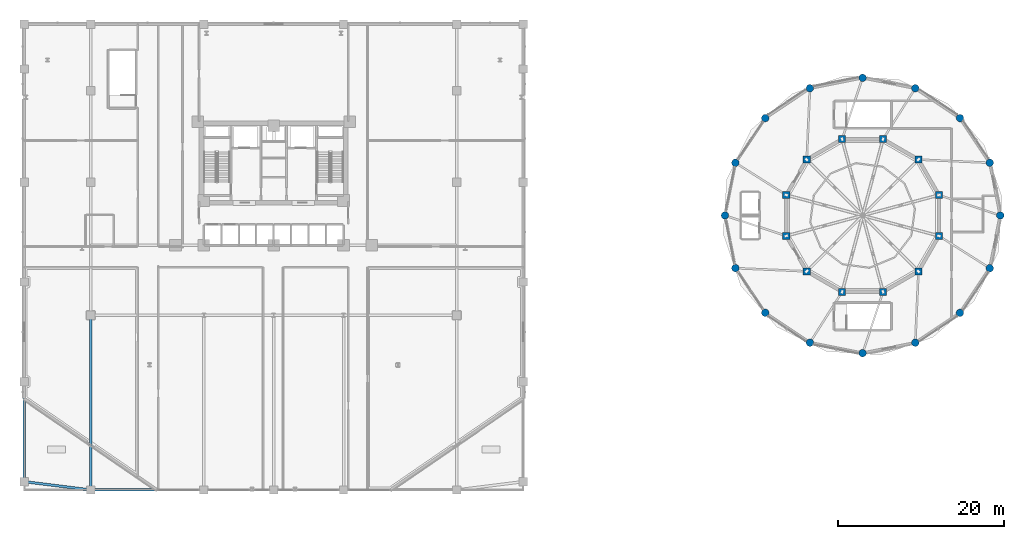
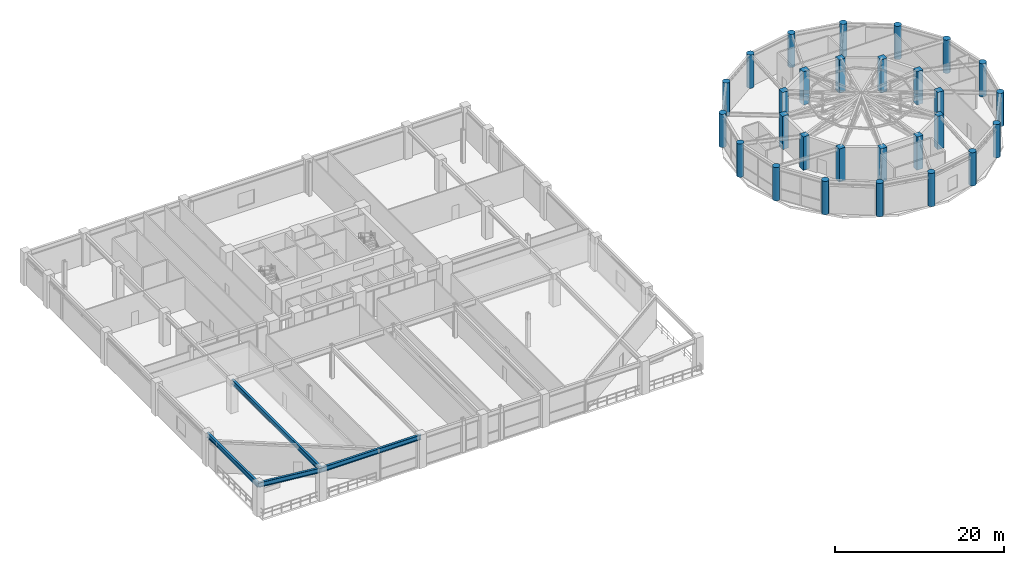
# One storey, part 2 of 26: 28 columns, 4 beams.
"""IFC4 building model written with IfcOpenShell, lengths in metres."""

import ifcopenshell
import ifcopenshell.guid

model = None  # the IFC model being written
_history = None  # IfcOwnerHistory: only IFC2X3 demands one
_inside = {}  # id of a spatial element -> (the spatial element, [elements in it])
_under = {}  # id of a project, library or spatial element -> (it, [spatial elements below it])
_declared = {}  # id of a project -> (the project, [libraries it declares])
_typed = {}  # id of a type object -> (the type object, [elements of that type])
_made_of = {}  # id of a material, layer set ... -> (it, [elements and type objects made of it])


def new_model(schema):
    """Start an empty IFC model of exactly this schema.

    Asked for "IFC4X3", IfcOpenShell would pick the latest addendum, in which some entities
    have other attributes; the version numbers below select the first issue.
    IFC2X3 requires an IfcOwnerHistory on every rooted entity: one is made here for all.
    """
    global model, _history
    if schema == "IFC4X3":
        model = ifcopenshell.file(schema_version=(4, 3, 0, 0))
    else:
        model = ifcopenshell.file(schema=schema)
    _inside.clear()
    _under.clear()
    _declared.clear()
    _typed.clear()
    _made_of.clear()
    _history = None
    if model.schema == "IFC2X3":
        org = make("IfcOrganization", Name="unknown")
        user = make(
            "IfcPersonAndOrganization",
            ThePerson=make("IfcPerson", FamilyName="unknown"),
            TheOrganization=org,
        )
        app = make(
            "IfcApplication",
            ApplicationDeveloper=org,
            Version="unknown",
            ApplicationFullName="unknown",
            ApplicationIdentifier="unknown",
        )
        _history = make(
            "IfcOwnerHistory",
            OwningUser=user,
            OwningApplication=app,
            ChangeAction="ADDED",
            CreationDate=0,
        )
    return model


def make(cls, **values):
    """One entity of the class cls with the attributes given. An attribute that is None is left unset."""
    return model.create_entity(
        cls, **{name: value for name, value in values.items() if value is not None}
    )


def rooted(cls, **values):
    """An entity with a GlobalId (a new one), such as an element, a storey or a relation."""
    return make(cls, GlobalId=ifcopenshell.guid.new(), OwnerHistory=_history, **values)


def si_unit(unit_type, name, prefix=None):
    """IfcSIUnit, for example si_unit("LENGTHUNIT", "METRE", prefix="MILLI")."""
    return make("IfcSIUnit", UnitType=unit_type, Prefix=prefix, Name=name)


def derived_unit(unit_type, elements):
    """IfcDerivedUnit: a product of units, each with its exponent."""
    return make(
        "IfcDerivedUnit",
        Elements=[
            make("IfcDerivedUnitElement", Unit=unit, Exponent=power)
            for unit, power in elements
        ],
        UnitType=unit_type,
    )


def assignment(units):
    """IfcUnitAssignment: the units of a project."""
    return None if units is None else make("IfcUnitAssignment", Units=units)


def point(xyz):
    """IfcCartesianPoint."""
    return None if xyz is None else make("IfcCartesianPoint", Coordinates=xyz)


def direction(xyz):
    """IfcDirection."""
    return None if xyz is None else make("IfcDirection", DirectionRatios=xyz)


def frame(location, z_axis=None, x_axis=None):
    """IfcAxis2Placement3D, a coordinate frame: its origin and axes. An axis left out is left unset."""
    return make(
        "IfcAxis2Placement3D",
        Location=point(location),
        Axis=direction(z_axis),
        RefDirection=direction(x_axis),
    )


def frame_2d(location, x_axis=None):
    """IfcAxis2Placement2D, a coordinate frame in the plane: its origin and x axis."""
    return make(
        "IfcAxis2Placement2D", Location=point(location), RefDirection=direction(x_axis)
    )


def origin():
    """The frame at (0, 0, 0) with its axes left unset."""
    return frame((0.0, 0.0, 0.0))


def origin_2d():
    """The frame at (0, 0) in the plane with its x axis left unset."""
    return frame_2d((0.0, 0.0))


def place(relative_to, where):
    """IfcLocalPlacement: puts the frame where relative to a parent placement (None: the world)."""
    return make(
        "IfcLocalPlacement", PlacementRelTo=relative_to, RelativePlacement=where
    )


def context(
    kind, dimensions, precision=None, world=None, true_north=None, identifier=None
):
    """IfcGeometricRepresentationContext, for example the 3D "Model" context."""
    return make(
        "IfcGeometricRepresentationContext",
        ContextIdentifier=identifier,
        ContextType=kind,
        CoordinateSpaceDimension=dimensions,
        Precision=precision,
        WorldCoordinateSystem=world,
        TrueNorth=true_north,
    )


def subcontext(parent, identifier, kind, view, scale=None):
    """IfcGeometricRepresentationSubContext, for example "Body" below "Model"."""
    return make(
        "IfcGeometricRepresentationSubContext",
        ContextIdentifier=identifier,
        ContextType=kind,
        ParentContext=parent,
        TargetScale=scale,
        TargetView=view,
    )


def project(units=None, contexts=None):
    """IfcProject with its units and contexts."""
    return rooted(
        "IfcProject",
        Name="project",
        RepresentationContexts=contexts,
        UnitsInContext=assignment(units),
    )


def spatial(cls, under=None, at=None, **own):
    """A site, building, storey or space (cls), placed at a placement, below another one or the project."""
    s = rooted(cls, ObjectPlacement=at, **own)
    if under is not None:
        _under.setdefault(under.id(), (under, []))[1].append(s)
    return s


def profile(cls, at=None, kind="AREA", **sizes):
    """A parametric profile (cls). Its sizes go by their IFC names, for example OverallWidth=200.0."""
    return make(cls, ProfileType=kind, Position=at, **sizes)


def rectangle(**sizes):
    """IfcRectangleProfileDef."""
    return profile("IfcRectangleProfileDef", **sizes)


def circle(**sizes):
    """IfcCircleProfileDef."""
    return profile("IfcCircleProfileDef", **sizes)


def i_section(**sizes):
    """IfcIShapeProfileDef."""
    return profile("IfcIShapeProfileDef", **sizes)


def extrude(swept, where, along, depth):
    """IfcExtrudedAreaSolid: the profile swept, set in the frame where, extruded along a direction by depth."""
    return make(
        "IfcExtrudedAreaSolid",
        SweptArea=swept,
        Position=where,
        ExtrudedDirection=direction(along),
        Depth=depth,
    )


def shape(context_of_items, identifier, shape_type, items):
    """IfcShapeRepresentation: the items that make up one representation, for example the "Body"."""
    return make(
        "IfcShapeRepresentation",
        ContextOfItems=context_of_items,
        RepresentationIdentifier=identifier,
        RepresentationType=shape_type,
        Items=items,
    )


def source(mapping_origin, context_of_items, identifier, shape_type, items):
    """IfcRepresentationMap: a shape defined once, which mapped items show again and again."""
    return make(
        "IfcRepresentationMap",
        MappingOrigin=mapping_origin,
        MappedRepresentation=shape(context_of_items, identifier, shape_type, items),
    )


def transform(
    local_origin,
    x_axis=None,
    y_axis=None,
    z_axis=None,
    scale=None,
    scale2=None,
    scale3=None,
    uniform=True,
):
    """IfcCartesianTransformationOperator3D, or its non-uniform kind. x_axis, y_axis, z_axis: its Axis1, 2, 3."""
    if uniform:
        return make(
            "IfcCartesianTransformationOperator3D",
            Axis1=direction(x_axis),
            Axis2=direction(y_axis),
            LocalOrigin=point(local_origin),
            Scale=scale,
            Axis3=direction(z_axis),
        )
    return make(
        "IfcCartesianTransformationOperator3DnonUniform",
        Axis1=direction(x_axis),
        Axis2=direction(y_axis),
        LocalOrigin=point(local_origin),
        Scale=scale,
        Axis3=direction(z_axis),
        Scale2=scale2,
        Scale3=scale3,
    )


def mapped(mapping_source, mapping_target):
    """IfcMappedItem: shows the shape of a source again, moved by a transform."""
    return make(
        "IfcMappedItem", MappingSource=mapping_source, MappingTarget=mapping_target
    )


def material(Name=None, Category=None):
    """IfcMaterial."""
    return make("IfcMaterial", Name=Name, Category=Category)


def material_profile(
    of_material, cross_section, Name=None, Category=None, Priority=None
):
    """IfcMaterialProfile: a cross section and its material."""
    return make(
        "IfcMaterialProfile",
        Name=Name,
        Material=of_material,
        Profile=cross_section,
        Priority=Priority,
        Category=Category,
    )


def profile_set(profiles, Name=None, composite=None):
    """IfcMaterialProfileSet."""
    return make(
        "IfcMaterialProfileSet",
        Name=Name,
        MaterialProfiles=profiles,
        CompositeProfile=composite,
    )


def made_of(thing, what):
    """Note that an element or type object is made of a material, layer set ...; save() writes the relation."""
    if what is not None:
        _made_of.setdefault(what.id(), (what, []))[1].append(thing)
    return thing


def type_object(cls, material=None, **own):
    """A type object (cls), such as IfcWallType, which elements share."""
    return made_of(rooted(cls, **own), material)


def element(
    cls,
    number,
    at=None,
    inside=None,
    cuts=None,
    type_object=None,
    material=None,
    context=None,
    identifier="Body",
    shape_type=None,
    held_by="IfcProductDefinitionShape",
    body=None,
    shapes=None,
    **own,
):
    """One element of the class cls, such as IfcWall. Its Tag is "e" and its number.

    at: its placement. inside: the storey or other place that contains it. cuts: it is an
    opening in that element (IfcRelVoidsElement). A single representation is given by context,
    identifier, shape_type and body (its items); several are given by shapes. held_by: the class
    of the entity that holds the representations. save() writes the other relations.
    """
    e = rooted(cls, Tag="e%d" % number, ObjectPlacement=at, **own)
    if body is not None:
        shapes = [shape(context, identifier, shape_type, body)]
    if shapes is not None:
        e.Representation = make(held_by, Representations=shapes)
    if inside is not None:
        _inside.setdefault(inside.id(), (inside, []))[1].append(e)
    if cuts is not None:
        rooted(
            "IfcRelVoidsElement", RelatingBuildingElement=cuts, RelatedOpeningElement=e
        )
    if type_object is not None:
        _typed.setdefault(type_object.id(), (type_object, []))[1].append(e)
    return made_of(e, material)


def aggregate(whole, parts):
    """IfcRelAggregates: a whole, such as a stair, and the parts it consists of."""
    return rooted("IfcRelAggregates", RelatingObject=whole, RelatedObjects=parts)


def save(model, path):
    """Write the relations noted so far, then the file.

    IfcRelAggregates (storeys below a building ...), IfcRelContainedInSpatialStructure (elements
    in a storey), IfcRelDefinesByType, IfcRelAssociatesMaterial and IfcRelDeclares: one each for
    every whole, place, type object, material and project.
    """
    for whole, parts in _under.values():
        aggregate(whole, parts)
    for where, things in _inside.values():
        rooted(
            "IfcRelContainedInSpatialStructure",
            RelatedElements=things,
            RelatingStructure=where,
        )
    for kind, things in _typed.values():
        rooted("IfcRelDefinesByType", RelatedObjects=things, RelatingType=kind)
    for what, things in _made_of.values():
        rooted("IfcRelAssociatesMaterial", RelatedObjects=things, RelatingMaterial=what)
    for by, libraries in _declared.values():
        rooted("IfcRelDeclares", RelatingContext=by, RelatedDefinitions=libraries)
    model.write(path)


model = new_model("IFC4")

# Units and contexts
model_context = context("Model", 3, precision=1e-05, world=origin(), true_north=direction((0.0, 1.0)))
body_context = subcontext(model_context, "Body", "Model", "MODEL_VIEW")
ifc_project = project(units=[si_unit("LENGTHUNIT", "METRE"), si_unit("AREAUNIT", "SQUARE_METRE"), si_unit("VOLUMEUNIT", "CUBIC_METRE"), si_unit("PLANEANGLEUNIT", "RADIAN"), si_unit("MASSUNIT", "GRAM", prefix="KILO"), derived_unit("THERMALTRANSMITTANCEUNIT", [(si_unit("POWERUNIT", "WATT"), 1), (si_unit("LENGTHUNIT", "METRE"), -2), (si_unit("THERMODYNAMICTEMPERATUREUNIT", "KELVIN"), -1)])], contexts=[model_context])

# Site, building, storey
site_placement = place(None, origin())
site = spatial("IfcSite", under=ifc_project, at=site_placement, CompositionType="ELEMENT")
building_placement = place(site_placement, origin())
building = spatial("IfcBuilding", under=site, at=building_placement, Name="Korsvarv Bourse and Concert Hall", CompositionType="ELEMENT")
storey_placement = place(building_placement, frame((0.0, 0.0, 19.199951171875)))
storey = spatial("IfcBuildingStorey", under=building, at=storey_placement, Name="L04", CompositionType="ELEMENT", Elevation=19.199951171875)

# Columns
ifc_material_1 = material(Name="Concrete C50/60", Category="concrete")
ifc_material_profile_1 = material_profile(ifc_material_1, rectangle(XDim=0.85009765625, YDim=0.85009765625, at=origin_2d()), Name="RC 850x850")
ifc_profile_set_1 = profile_set([ifc_material_profile_1], Name="Concrete C50/60")
column_type_1 = type_object("IfcColumnType", Name="COL-RC850", PredefinedType="COLUMN", material=ifc_profile_set_1)
shared_shape_1 = source(origin(), body_context, "Body", "SweptSolid", [
    extrude(rectangle(XDim=0.85009765625, YDim=0.85009765625, at=origin_2d()), origin(), (0.0, 0.0, 1.0), 4.800048828125),
])
for number, where, z_axis, x_axis, name in (
    (1, (115.976318359375, 38.458740234375, 0.0), (0.0, 0.0, 1.0), (1.0, 0.0, 0.0), "L04 column C-04"),
    (2, (113.517578125, 42.717529296875, 0.0), (0.0, 0.0, 1.0), (1.0, 0.0, 0.0), "L04 column C-04"),
    (3, (109.2587890625, 45.17626953125, 0.0), (0.0, 0.0, 1.0), (1.0, 0.0, 0.0), "L04 column C-04"),
    (4, (104.34130859375, 45.17626953125, 0.0), (0.0, 0.0, 1.0), (1.0, 0.0, 0.0), "L04 column C-04"),
    (5, (100.08251953125, 42.717529296875, 0.0), (0.0, 0.0, 1.0), (1.0, 0.0, 0.0), "L04 column C-04"),
    (6, (97.623779296875, 38.458740234375, 0.0), (0.0, 0.0, 1.0), (1.0, 0.0, 0.0), "L04 column C-04"),
    (7, (97.623779296875, 33.541259765625, 0.0), (0.0, 0.0, 1.0), (1.0, 0.0, 0.0), "L04 column C-04"),
    (8, (100.08251953125, 29.282470703125, 0.0), (0.0, 0.0, 1.0), (1.0, 0.0, 0.0), "L04 column C-04"),
    (9, (104.34130859375, 26.82373046875, 0.0), (0.0, 0.0, 1.0), (1.0, 0.0, 0.0), "L04 column C-04"),
    (10, (109.2587890625, 26.82373046875, 0.0), (0.0, 0.0, 1.0), (1.0, 0.0, 0.0), "L04 column C-04"),
    (11, (113.517578125, 29.282470703125, 0.0), (0.0, 0.0, 1.0), (1.0, 0.0, 0.0), "L04 column C-04"),
    (12, (115.976318359375, 33.541259765625, 0.0), (0.0, 0.0, 1.0), (1.0, 0.0, 0.0), "L04 column C-04"),
):
    element("IfcColumn", number, at=place(storey_placement, frame(where, z_axis=z_axis, x_axis=x_axis)), inside=storey, type_object=column_type_1, Name=name, PredefinedType="COLUMN", context=body_context, shape_type="MappedRepresentation", body=[
        mapped(shared_shape_1, transform((0.0, 0.0, 0.0), scale=1.0)),
    ])
ifc_material_profile_2 = material_profile(ifc_material_1, circle(Radius=0.449951171875, at=origin_2d()), Name="RC-D900")
ifc_profile_set_2 = profile_set([ifc_material_profile_2], Name="Concrete C50/60")
column_type_2 = type_object("IfcColumnType", Name="COL-RCD900", PredefinedType="COLUMN", material=ifc_profile_set_2)
shared_shape_2 = source(origin(), body_context, "Body", "SweptSolid", [
    extrude(circle(Radius=0.449951171875, at=origin_2d()), origin(), (0.0, 0.0, 1.0), 4.800048828125),
])
for number, where, z_axis, x_axis, name in (
    (13, (123.35009765625, 36.0, 0.0), (0.0, 0.0, 1.0), (1.0, 0.0, 0.0), "L04 column C-06"),
    (14, (122.090087890625, 42.33349609375, 0.0), (0.0, 0.0, 1.0), (1.0, 0.0, 0.0), "L04 column C-06"),
    (15, (118.502685546875, 47.70263671875, 0.0), (0.0, 0.0, 1.0), (1.0, 0.0, 0.0), "L04 column C-06"),
    (16, (113.13330078125, 51.290283203125, 0.0), (0.0, 0.0, 1.0), (1.0, 0.0, 0.0), "L04 column C-06"),
    (17, (106.800048828125, 52.550048828125, 0.0), (0.0, 0.0, 1.0), (1.0, 0.0, 0.0), "L04 column C-06"),
    (18, (100.466552734375, 51.290283203125, 0.0), (0.0, 0.0, 1.0), (1.0, 0.0, 0.0), "L04 column C-06"),
    (19, (95.097412109375, 47.70263671875, 0.0), (0.0, 0.0, 1.0), (1.0, 0.0, 0.0), "L04 column C-06"),
    (20, (91.509765625, 42.33349609375, 0.0), (0.0, 0.0, 1.0), (1.0, 0.0, 0.0), "L04 column C-06"),
    (21, (90.25, 36.0, 0.0), (0.0, 0.0, 1.0), (1.0, 0.0, 0.0), "L04 column C-06"),
    (22, (91.509765625, 29.66650390625, 0.0), (0.0, 0.0, 1.0), (1.0, 0.0, 0.0), "L04 column C-06"),
    (23, (95.097412109375, 24.29736328125, 0.0), (0.0, 0.0, 1.0), (1.0, 0.0, 0.0), "L04 column C-06"),
    (24, (100.466552734375, 20.709716796875, 0.0), (0.0, 0.0, 1.0), (1.0, 0.0, 0.0), "L04 column C-06"),
    (25, (106.800048828125, 19.449951171875, 0.0), (0.0, 0.0, 1.0), (1.0, 0.0, 0.0), "L04 column C-06"),
    (26, (113.13330078125, 20.709716796875, 0.0), (0.0, 0.0, 1.0), (1.0, 0.0, 0.0), "L04 column C-06"),
    (27, (118.502685546875, 24.29736328125, 0.0), (0.0, 0.0, 1.0), (1.0, 0.0, 0.0), "L04 column C-06"),
    (28, (122.090087890625, 29.66650390625, 0.0), (0.0, 0.0, 1.0), (1.0, 0.0, 0.0), "L04 column C-06"),
):
    element("IfcColumn", number, at=place(storey_placement, frame(where, z_axis=z_axis, x_axis=x_axis)), inside=storey, type_object=column_type_2, Name=name, PredefinedType="COLUMN", context=body_context, shape_type="MappedRepresentation", body=[
        mapped(shared_shape_2, transform((0.0, 0.0, 0.0), scale=1.0)),
    ])

# Beams
ifc_material_2 = material(Name="Steel S355", Category="steel")
ifc_material_profile_3 = material_profile(ifc_material_2, i_section(OverallWidth=0.300048828125, OverallDepth=0.699951171875, WebThickness=0.01708984375, FlangeThickness=0.031982421875, FilletRadius=0.027099609375, at=origin_2d()), Name="HEB 700")
ifc_profile_set_3 = profile_set([ifc_material_profile_3], Name="Steel S355")
beam_type = type_object("IfcBeamType", Name="BM-HEB700", PredefinedType="BEAM", material=ifc_profile_set_3)
shared_shape_3 = source(origin(), body_context, "Body", "SweptSolid", [
    extrude(i_section(OverallWidth=0.300048828125, OverallDepth=0.699951171875, WebThickness=0.01708984375, FlangeThickness=0.031982421875, FilletRadius=0.027099609375, at=origin_2d()), origin(), (0.0, 0.0, 1.0), 12.0),
])
beam_1_placement = place(storey_placement, frame((6.0, 4.0, 4.22998046875), z_axis=(0.0, 1.0, 0.0), x_axis=(-1.0, 0.0, 0.0)))
element("IfcBeam", 29, at=beam_1_placement, inside=storey, type_object=beam_type, Name="L04 beam B-03", PredefinedType="BEAM", context=body_context, shape_type="MappedRepresentation", body=[
    mapped(shared_shape_3, transform((0.0, 0.0, 0.0), scale=1.0)),
])
shared_shape_4 = source(origin(), body_context, "Body", "SweptSolid", [
    extrude(i_section(OverallWidth=0.300048828125, OverallDepth=0.699951171875, WebThickness=0.01708984375, FlangeThickness=0.031982421875, FilletRadius=0.027099609375, at=origin_2d()), origin(), (0.0, 0.0, 1.0), 13.60009765625),
])
beam_2_placement = place(storey_placement, frame((14.0, 3.0, 4.22998046875), z_axis=(1.0, 0.0, 0.0), x_axis=(0.0, 1.0, 0.0)))
element("IfcBeam", 30, at=beam_2_placement, inside=storey, type_object=beam_type, Name="L04 beam B-03", PredefinedType="BEAM", context=body_context, shape_type="MappedRepresentation", body=[
    mapped(shared_shape_4, transform((0.0, 0.0, 0.0), scale=1.0)),
])
shared_shape_5 = source(origin(), body_context, "Body", "SweptSolid", [
    extrude(i_section(OverallWidth=0.300048828125, OverallDepth=0.699951171875, WebThickness=0.01708984375, FlangeThickness=0.031982421875, FilletRadius=0.027099609375, at=origin_2d()), origin(), (0.0, 0.0, 1.0), 8.062255859375),
])
beam_3_placement = place(storey_placement, frame((6.0, 4.0, 4.22998046875), z_axis=(0.992277876714, -0.124034734589, 0.0), x_axis=(0.124034734589, 0.992277876714, 0.0)))
element("IfcBeam", 31, at=beam_3_placement, inside=storey, type_object=beam_type, Name="L04 beam B-03", PredefinedType="BEAM", context=body_context, shape_type="MappedRepresentation", body=[
    mapped(shared_shape_5, transform((0.0, 0.0, 0.0), scale=1.0)),
])
shared_shape_6 = source(origin(), body_context, "Body", "SweptSolid", [
    extrude(i_section(OverallWidth=0.300048828125, OverallDepth=0.699951171875, WebThickness=0.01708984375, FlangeThickness=0.031982421875, FilletRadius=0.027099609375, at=origin_2d()), origin(), (0.0, 0.0, 1.0), 21.0),
])
beam_4_placement = place(storey_placement, frame((14.0, 3.0, 4.22998046875), z_axis=(0.0, 1.0, 0.0), x_axis=(-1.0, 0.0, 0.0)))
element("IfcBeam", 32, at=beam_4_placement, inside=storey, type_object=beam_type, Name="L04 beam B-03", PredefinedType="BEAM", context=body_context, shape_type="MappedRepresentation", body=[
    mapped(shared_shape_6, transform((0.0, 0.0, 0.0), scale=1.0)),
])

save(model, "model.ifc")
